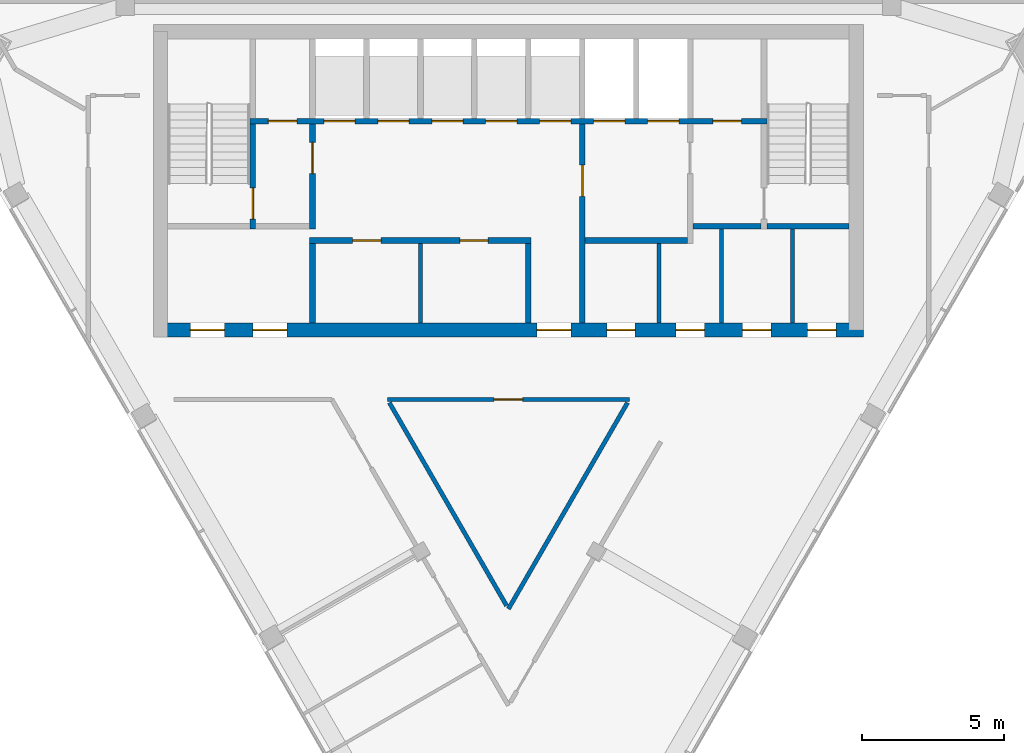
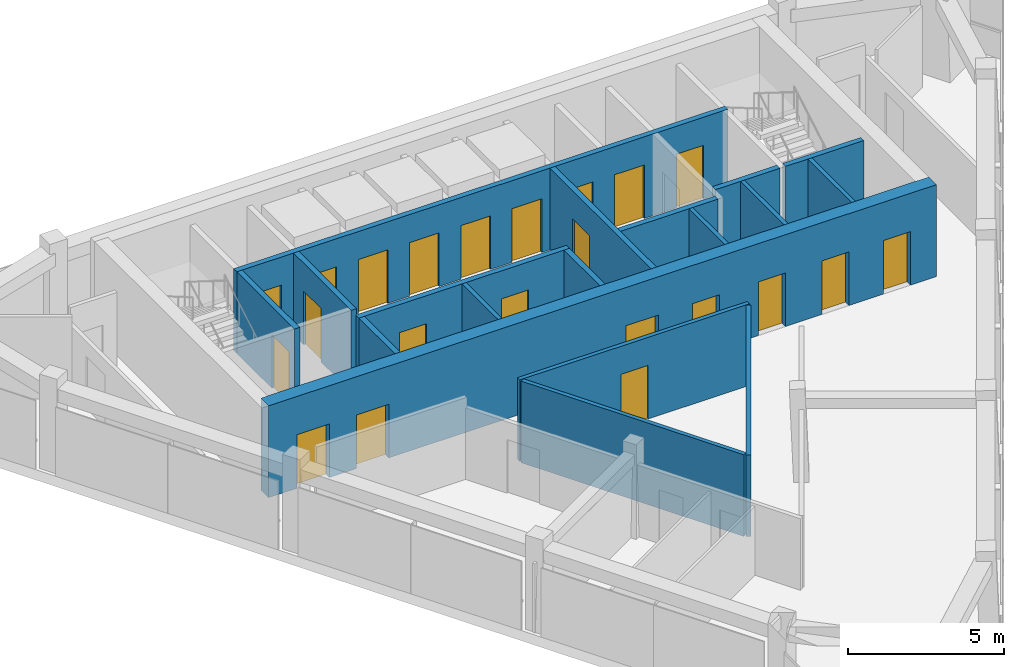
# One storey, part 6 of 9: 22 doors, 18 walls, 22 openings.
"""IFC4 building model written with IfcOpenShell, lengths in metres."""

from ifc_helpers import new_model, si_unit, direction, frame, frame_2d, origin, place, context, subcontext, project, spatial, rectangle, extrude, material, layer, layer_set, type_object, element, fill, save


model = new_model("IFC4")

# Units and contexts
model_context = context("Model", 3, precision=1e-05, world=origin(), true_north=direction((0.0, 1.0)))
body_context = subcontext(model_context, "Body", "Model", "MODEL_VIEW")
ifc_project = project(units=[si_unit("LENGTHUNIT", "METRE"), si_unit("AREAUNIT", "SQUARE_METRE"), si_unit("VOLUMEUNIT", "CUBIC_METRE"), si_unit("PLANEANGLEUNIT", "RADIAN"), si_unit("MASSUNIT", "GRAM", prefix="KILO")], contexts=[model_context])

# Site, building, storey
site_placement = place(None, origin())
site = spatial("IfcSite", under=ifc_project, at=site_placement, CompositionType="ELEMENT")
building_placement = place(site_placement, origin())
building = spatial("IfcBuilding", under=site, at=building_placement, Name="Altiplano Prism Tower", CompositionType="ELEMENT")
storey_placement = place(building_placement, frame((0.0, 0.0, 350.800048828125)))
storey = spatial("IfcBuildingStorey", under=building, at=storey_placement, Name="L91", CompositionType="ELEMENT", Elevation=350.800048828125)

# Wall, openings, doors
ifc_material_1 = material(Name="Concrete C60/75", Category="concrete")
ifc_layer_1 = layer(ifc_material_1, 0.5)
ifc_layer_set_1 = layer_set([ifc_layer_1], Name="Concrete C60/75")
wall_type_1 = type_object("IfcWallType", Name="Core wall 500", PredefinedType="SHEAR", material=ifc_layer_set_1)
wall_1_placement = place(storey_placement, frame((72.75, 93.14990234375, 0.0), z_axis=(0.0, 0.0, 1.0), x_axis=(1.0, 0.0, 0.0)))
wall_1 = element("IfcWall", 1, at=wall_1_placement, inside=storey, type_object=wall_type_1, Name="Core wall S L91", PredefinedType="SHEAR", context=body_context, shape_type="SweptSolid", body=[
    extrude(rectangle(XDim=24.75, YDim=0.5, at=frame_2d((12.375, 0.0))), origin(), (0.0, 0.0, 1.0), 3.599853515625),
])
opening_1_placement = place(wall_1_placement, frame((1.050048828125, 0.0, 0.0)))
opening_1 = element("IfcOpeningElement", 2, at=opening_1_placement, cuts=wall_1, Name="Opening D3882", PredefinedType="OPENING", context=body_context, shape_type="SweptSolid", body=[
    extrude(rectangle(XDim=1.199951171875, YDim=2.10009765625, at=frame_2d((0.60009765625, 1.050048828125))), frame((0.0, 0.260498046875, 0.0), z_axis=(0.0, -1.0, 0.0), x_axis=(1.0, 0.0, 0.0)), (0.0, 0.0, 1.0), 0.52099609375),
])
opening_2_placement = place(wall_1_placement, frame((3.25, 0.0, 0.0)))
opening_2 = element("IfcOpeningElement", 3, at=opening_2_placement, cuts=wall_1, Name="Opening D3883", PredefinedType="OPENING", context=body_context, shape_type="SweptSolid", body=[
    extrude(rectangle(XDim=1.199951171875, YDim=2.10009765625, at=frame_2d((0.60009765625, 1.050048828125))), frame((0.0, 0.260498046875, 0.0), z_axis=(0.0, -1.0, 0.0), x_axis=(1.0, 0.0, 0.0)), (0.0, 0.0, 1.0), 0.52099609375),
])
opening_3_placement = place(wall_1_placement, frame((13.25, 0.0, 0.0)))
opening_3 = element("IfcOpeningElement", 4, at=opening_3_placement, cuts=wall_1, Name="Opening D3884", PredefinedType="OPENING", context=body_context, shape_type="SweptSolid", body=[
    extrude(rectangle(XDim=1.199951171875, YDim=2.10009765625, at=frame_2d((0.60009765625, 1.050048828125))), frame((0.0, 0.260498046875, 0.0), z_axis=(0.0, -1.0, 0.0), x_axis=(1.0, 0.0, 0.0)), (0.0, 0.0, 1.0), 0.52099609375),
])
opening_4_placement = place(wall_1_placement, frame((15.71240234375, 0.0, 0.0)))
opening_4 = element("IfcOpeningElement", 5, at=opening_4_placement, cuts=wall_1, Name="Opening D3887", PredefinedType="OPENING", context=body_context, shape_type="SweptSolid", body=[
    extrude(rectangle(XDim=1.0, YDim=2.10009765625, at=frame_2d((0.5, 1.050048828125))), frame((0.0, 0.260498046875, 0.0), z_axis=(0.0, -1.0, 0.0), x_axis=(1.0, 0.0, 0.0)), (0.0, 0.0, 1.0), 0.52099609375),
])
opening_5_placement = place(wall_1_placement, frame((18.14990234375, 0.0, 0.0)))
opening_5 = element("IfcOpeningElement", 6, at=opening_5_placement, cuts=wall_1, Name="Opening D3888", PredefinedType="OPENING", context=body_context, shape_type="SweptSolid", body=[
    extrude(rectangle(XDim=1.0, YDim=2.10009765625, at=frame_2d((0.5, 1.050048828125))), frame((0.0, 0.260498046875, 0.0), z_axis=(0.0, -1.0, 0.0), x_axis=(1.0, 0.0, 0.0)), (0.0, 0.0, 1.0), 0.52099609375),
])
opening_6_placement = place(wall_1_placement, frame((20.5, 0.0, 0.0)))
opening_6 = element("IfcOpeningElement", 7, at=opening_6_placement, cuts=wall_1, Name="Opening D3889", PredefinedType="OPENING", context=body_context, shape_type="SweptSolid", body=[
    extrude(rectangle(XDim=1.0, YDim=2.10009765625, at=frame_2d((0.5, 1.050048828125))), frame((0.0, 0.260498046875, 0.0), z_axis=(0.0, -1.0, 0.0), x_axis=(1.0, 0.0, 0.0)), (0.0, 0.0, 1.0), 0.52099609375),
])
opening_7_placement = place(wall_1_placement, frame((22.78759765625, 0.0, 0.0)))
opening_7 = element("IfcOpeningElement", 8, at=opening_7_placement, cuts=wall_1, Name="Opening D3890", PredefinedType="OPENING", context=body_context, shape_type="SweptSolid", body=[
    extrude(rectangle(XDim=1.0, YDim=2.10009765625, at=frame_2d((0.5, 1.050048828125))), frame((0.0, 0.260498046875, 0.0), z_axis=(0.0, -1.0, 0.0), x_axis=(1.0, 0.0, 0.0)), (0.0, 0.0, 1.0), 0.52099609375),
])
ifc_material_2 = material(Name="Fire-rated steel door", Category="steel")
door_type_1 = type_object("IfcDoorType", Name="Core room door 1000 x 2100", OperationType="NOTDEFINED", PredefinedType="NOTDEFINED", material=ifc_material_2)
door_1_placement = place(opening_4_placement, origin())
door_1 = element("IfcDoor", 9, at=door_1_placement, inside=storey, type_object=door_type_1, Name="Core room door D3887", OperationType="SINGLE_SWING_RIGHT", OverallHeight=2.10009765625, OverallWidth=1.0, PredefinedType="NOTDEFINED", context=body_context, shape_type="SweptSolid", body=[
    extrude(rectangle(XDim=1.0, YDim=2.10009765625, at=frame_2d((0.5, 1.050048828125))), frame((0.0, 0.02490234375, 0.0), z_axis=(0.0, -1.0, 0.0), x_axis=(1.0, 0.0, 0.0)), (0.0, 0.0, 1.0), 0.050048828125),
])
fill(opening_4, door_1)
door_2_placement = place(opening_5_placement, origin())
door_2 = element("IfcDoor", 10, at=door_2_placement, inside=storey, type_object=door_type_1, Name="Core room door D3888", OperationType="SINGLE_SWING_LEFT", OverallHeight=2.10009765625, OverallWidth=1.0, PredefinedType="NOTDEFINED", context=body_context, shape_type="SweptSolid", body=[
    extrude(rectangle(XDim=1.0, YDim=2.10009765625, at=frame_2d((0.5, 1.050048828125))), frame((0.0, 0.02490234375, 0.0), z_axis=(0.0, -1.0, 0.0), x_axis=(1.0, 0.0, 0.0)), (0.0, 0.0, 1.0), 0.050048828125),
])
fill(opening_5, door_2)
door_3_placement = place(opening_6_placement, origin())
door_3 = element("IfcDoor", 11, at=door_3_placement, inside=storey, type_object=door_type_1, Name="Core room door D3889", OperationType="SINGLE_SWING_RIGHT", OverallHeight=2.10009765625, OverallWidth=1.0, PredefinedType="NOTDEFINED", context=body_context, shape_type="SweptSolid", body=[
    extrude(rectangle(XDim=1.0, YDim=2.10009765625, at=frame_2d((0.5, 1.050048828125))), frame((0.0, 0.02490234375, 0.0), z_axis=(0.0, -1.0, 0.0), x_axis=(1.0, 0.0, 0.0)), (0.0, 0.0, 1.0), 0.050048828125),
])
fill(opening_6, door_3)
door_4_placement = place(opening_7_placement, origin())
door_4 = element("IfcDoor", 12, at=door_4_placement, inside=storey, type_object=door_type_1, Name="Core room door D3890", OperationType="SINGLE_SWING_LEFT", OverallHeight=2.10009765625, OverallWidth=1.0, PredefinedType="NOTDEFINED", context=body_context, shape_type="SweptSolid", body=[
    extrude(rectangle(XDim=1.0, YDim=2.10009765625, at=frame_2d((0.5, 1.050048828125))), frame((0.0, 0.02490234375, 0.0), z_axis=(0.0, -1.0, 0.0), x_axis=(1.0, 0.0, 0.0)), (0.0, 0.0, 1.0), 0.050048828125),
])
fill(opening_7, door_4)
door_type_2 = type_object("IfcDoorType", Name="Lobby fire door 1200 x 2100", OperationType="NOTDEFINED", PredefinedType="NOTDEFINED", material=ifc_material_2)
door_5_placement = place(opening_1_placement, origin())
door_5 = element("IfcDoor", 13, at=door_5_placement, inside=storey, type_object=door_type_2, Name="Lobby fire door D3882", OperationType="SINGLE_SWING_RIGHT", OverallHeight=2.10009765625, OverallWidth=1.199951171875, PredefinedType="NOTDEFINED", context=body_context, shape_type="SweptSolid", body=[
    extrude(rectangle(XDim=1.199951171875, YDim=2.10009765625, at=frame_2d((0.60009765625, 1.050048828125))), frame((0.0, 0.02490234375, 0.0), z_axis=(0.0, -1.0, 0.0), x_axis=(1.0, 0.0, 0.0)), (0.0, 0.0, 1.0), 0.050048828125),
])
fill(opening_1, door_5)
door_6_placement = place(opening_2_placement, origin())
door_6 = element("IfcDoor", 14, at=door_6_placement, inside=storey, type_object=door_type_2, Name="Lobby fire door D3883", OperationType="SINGLE_SWING_LEFT", OverallHeight=2.10009765625, OverallWidth=1.199951171875, PredefinedType="NOTDEFINED", context=body_context, shape_type="SweptSolid", body=[
    extrude(rectangle(XDim=1.199951171875, YDim=2.10009765625, at=frame_2d((0.60009765625, 1.050048828125))), frame((0.0, 0.02490234375, 0.0), z_axis=(0.0, -1.0, 0.0), x_axis=(1.0, 0.0, 0.0)), (0.0, 0.0, 1.0), 0.050048828125),
])
fill(opening_2, door_6)
door_7_placement = place(opening_3_placement, origin())
door_7 = element("IfcDoor", 15, at=door_7_placement, inside=storey, type_object=door_type_2, Name="Lobby fire door D3884", OperationType="SINGLE_SWING_RIGHT", OverallHeight=2.10009765625, OverallWidth=1.199951171875, PredefinedType="NOTDEFINED", context=body_context, shape_type="SweptSolid", body=[
    extrude(rectangle(XDim=1.199951171875, YDim=2.10009765625, at=frame_2d((0.60009765625, 1.050048828125))), frame((0.0, 0.02490234375, 0.0), z_axis=(0.0, -1.0, 0.0), x_axis=(1.0, 0.0, 0.0)), (0.0, 0.0, 1.0), 0.050048828125),
])
fill(opening_3, door_7)

# Wall
ifc_material_3 = material(Name="Plasterboard on steel stud", Category="steel")
ifc_layer_2 = layer(ifc_material_3, 0.14990234375)
ifc_layer_set_2 = layer_set([ifc_layer_2], Name="Plasterboard on steel stud")
wall_type_2 = type_object("IfcWallType", Name="Partition 150 corridor", PredefinedType="PARTITIONING", material=ifc_layer_set_2)
wall_2_placement = place(storey_placement, frame((84.93505859375, 83.4375, 0.0), z_axis=(0.0, 0.0, 1.0), x_axis=(-0.500000652526, 0.866025027048, 0.0)))
element("IfcWall", 16, at=wall_2_placement, inside=storey, type_object=wall_type_2, Name="Partition P06 L91 006", PredefinedType="PARTITIONING", context=body_context, shape_type="SweptSolid", body=[
    extrude(rectangle(XDim=8.2548828125, YDim=0.14990234375, at=frame_2d((4.12744140625, 0.0))), origin(), (0.0, 0.0, 1.0), 3.199951171875),
])

# Wall, opening, door
wall_3_placement = place(storey_placement, frame((80.74267578125, 90.698974609375, 0.0), z_axis=(0.0, 0.0, 1.0), x_axis=(1.0, 0.0, 0.0)))
wall_3 = element("IfcWall", 17, at=wall_3_placement, inside=storey, type_object=wall_type_2, Name="Partition P06 L91 007", PredefinedType="PARTITIONING", context=body_context, shape_type="SweptSolid", body=[
    extrude(rectangle(XDim=8.5146484375, YDim=0.14990234375, at=frame_2d((4.25732421875, 0.0))), origin(), (0.0, 0.0, 1.0), 3.199951171875),
])
opening_8_placement = place(wall_3_placement, frame((3.757080078125, 0.0, 0.0)))
opening_8 = element("IfcOpeningElement", 18, at=opening_8_placement, cuts=wall_3, Name="Opening D2537", PredefinedType="OPENING", context=body_context, shape_type="SweptSolid", body=[
    extrude(rectangle(XDim=1.0, YDim=2.10009765625, at=frame_2d((0.5, 1.050048828125))), frame((0.0, 0.08544921875, 0.0), z_axis=(0.0, -1.0, 0.0), x_axis=(1.0, 0.0, 0.0)), (0.0, 0.0, 1.0), 0.1708984375),
])
ifc_material_4 = material(Name="Timber", Category="wood")
door_type_3 = type_object("IfcDoorType", Name="Room door 1000 x 2100", OperationType="NOTDEFINED", PredefinedType="NOTDEFINED", material=ifc_material_4)
door_8_placement = place(opening_8_placement, origin())
door_8 = element("IfcDoor", 19, at=door_8_placement, inside=storey, type_object=door_type_3, Name="Door D2537", OperationType="SINGLE_SWING_LEFT", OverallHeight=2.10009765625, OverallWidth=1.0, PredefinedType="NOTDEFINED", context=body_context, shape_type="SweptSolid", body=[
    extrude(rectangle(XDim=1.0, YDim=2.10009765625, at=frame_2d((0.5, 1.050048828125))), frame((0.0, 0.02490234375, 0.0), z_axis=(0.0, -1.0, 0.0), x_axis=(1.0, 0.0, 0.0)), (0.0, 0.0, 1.0), 0.050048828125),
])
fill(opening_8, door_8)

# Walls
wall_4_placement = place(storey_placement, frame((89.1923828125, 90.58642578125, 0.0), z_axis=(0.0, 0.0, 1.0), x_axis=(-0.499997181693, -0.866027030928, 0.0)))
element("IfcWall", 20, at=wall_4_placement, inside=storey, type_object=wall_type_2, Name="Partition P06 L91 008", PredefinedType="PARTITIONING", context=body_context, shape_type="SweptSolid", body=[
    extrude(rectangle(XDim=8.384765625, YDim=0.14990234375, at=frame_2d((4.1923828125, 0.0))), origin(), (0.0, 0.0, 1.0), 3.199951171875),
])
ifc_material_5 = material(Name="Fire-rated gypsum board partition")
ifc_layer_3 = layer(ifc_material_5, 0.14990234375)
ifc_layer_set_3 = layer_set([ifc_layer_3], Name="Fire-rated gypsum board partition")
wall_type_3 = type_object("IfcWallType", Name="Room partition 150", PredefinedType="PARTITIONING", material=ifc_layer_set_3)
for number, where, z_axis, x_axis, name in (
    (21, (81.89990234375, 93.39990234375, 0.0), (0.0, 0.0, 1.0), (0.0, 1.0, 0.0), "Room partition L91"),
    (22, (90.300048828125, 93.39990234375, 0.0), (0.0, 0.0, 1.0), (0.0, 1.0, 0.0), "Room partition L91"),
):
    element("IfcWall", number, at=place(storey_placement, frame(where, z_axis=z_axis, x_axis=x_axis)), inside=storey, type_object=wall_type_3, Name=name, PredefinedType="PARTITIONING", context=body_context, shape_type="SweptSolid", body=[
        extrude(rectangle(XDim=2.800048828125, YDim=0.14990234375, at=frame_2d((1.39990234375, 0.0))), origin(), (0.0, 0.0, 1.0), 3.199951171875),
    ])
for number, where, z_axis, x_axis, name in (
    (23, (92.5, 93.39990234375, 0.0), (0.0, 0.0, 1.0), (0.0, 1.0, 0.0), "Room partition L91"),
    (24, (95.0, 93.39990234375, 0.0), (0.0, 0.0, 1.0), (0.0, 1.0, 0.0), "Room partition L91"),
):
    element("IfcWall", number, at=place(storey_placement, frame(where, z_axis=z_axis, x_axis=x_axis)), inside=storey, type_object=wall_type_3, Name=name, PredefinedType="PARTITIONING", context=body_context, shape_type="SweptSolid", body=[
        extrude(rectangle(XDim=3.300048828125, YDim=0.14990234375, at=frame_2d((1.64990234375, 0.0))), origin(), (0.0, 0.0, 1.0), 3.199951171875),
    ])

# Wall, opening, door
ifc_layer_4 = layer(ifc_material_1, 0.199951171875)
ifc_layer_set_4 = layer_set([ifc_layer_4], Name="Concrete C60/75")
wall_type_4 = type_object("IfcWallType", Name="Stair wall 200", PredefinedType="SOLIDWALL", material=ifc_layer_set_4)
wall_5_placement = place(storey_placement, frame((76.0, 96.699951171875, 0.0), z_axis=(0.0, 0.0, 1.0), x_axis=(0.0, 1.0, 0.0)))
wall_5 = element("IfcWall", 25, at=wall_5_placement, inside=storey, type_object=wall_type_4, Name="Stair wall L91", PredefinedType="SOLIDWALL", context=body_context, shape_type="SweptSolid", body=[
    extrude(rectangle(XDim=3.699951171875, YDim=0.199951171875, at=frame_2d((1.85009765625, 0.0))), origin(), (0.0, 0.0, 1.0), 3.199951171875),
])
opening_9_placement = place(wall_5_placement, frame((0.35009765625, 0.0, 0.0)))
opening_9 = element("IfcOpeningElement", 26, at=opening_9_placement, cuts=wall_5, Name="Opening D3877", PredefinedType="OPENING", context=body_context, shape_type="SweptSolid", body=[
    extrude(rectangle(XDim=1.10009765625, YDim=2.10009765625, at=frame_2d((0.550048828125, 1.050048828125))), frame((0.0, 0.1103515625, 0.0), z_axis=(0.0, -1.0, 0.0), x_axis=(1.0, 0.0, 0.0)), (0.0, 0.0, 1.0), 0.220947265625),
])
door_type_4 = type_object("IfcDoorType", Name="Stair fire door 1100 x 2100", OperationType="NOTDEFINED", PredefinedType="NOTDEFINED", material=ifc_material_2)
door_9_placement = place(opening_9_placement, origin())
door_9 = element("IfcDoor", 27, at=door_9_placement, inside=storey, type_object=door_type_4, Name="Stair fire door D3877", OperationType="SINGLE_SWING_RIGHT", OverallHeight=2.10009765625, OverallWidth=1.10009765625, PredefinedType="NOTDEFINED", context=body_context, shape_type="SweptSolid", body=[
    extrude(rectangle(XDim=1.10009765625, YDim=2.10009765625, at=frame_2d((0.550048828125, 1.050048828125))), frame((0.0, 0.02490234375, 0.0), z_axis=(0.0, -1.0, 0.0), x_axis=(1.0, 0.0, 0.0)), (0.0, 0.0, 1.0), 0.050048828125),
])
fill(opening_9, door_9)

# Wall
wall_6_placement = place(storey_placement, frame((94.10009765625, 96.800048828125, 0.0), z_axis=(0.0, 0.0, 1.0), x_axis=(1.0, 0.0, 0.0)))
element("IfcWall", 28, at=wall_6_placement, inside=storey, type_object=wall_type_4, Name="Stair wall L91", PredefinedType="SOLIDWALL", context=body_context, shape_type="SweptSolid", body=[
    extrude(rectangle(XDim=2.89990234375, YDim=0.199951171875, at=frame_2d((1.449951171875, 0.0))), origin(), (0.0, 0.0, 1.0), 3.199951171875),
])

# Wall, openings, doors
wall_7_placement = place(storey_placement, frame((75.89990234375, 100.5, 0.0), z_axis=(0.0, 0.0, 1.0), x_axis=(1.0, 0.0, 0.0)))
wall_7 = element("IfcWall", 29, at=wall_7_placement, inside=storey, type_object=wall_type_4, Name="Stair wall L91", PredefinedType="SOLIDWALL", context=body_context, shape_type="SweptSolid", body=[
    extrude(rectangle(XDim=18.2001953125, YDim=0.199951171875, at=frame_2d((9.10009765625, 0.0))), origin(), (0.0, 0.0, 1.0), 3.199951171875),
])
opening_10_placement = place(wall_7_placement, frame((2.60009765625, 0.0, 0.0)))
opening_10 = element("IfcOpeningElement", 30, at=opening_10_placement, cuts=wall_7, Name="Opening LD-HL1-L91", PredefinedType="OPENING", context=body_context, shape_type="SweptSolid", body=[
    extrude(rectangle(XDim=1.10009765625, YDim=2.10009765625, at=frame_2d((0.550048828125, 1.050048828125))), frame((0.0, 0.1103515625, 0.0), z_axis=(0.0, -1.0, 0.0), x_axis=(1.0, 0.0, 0.0)), (0.0, 0.0, 1.0), 0.220947265625),
])
opening_11_placement = place(wall_7_placement, frame((4.5, 0.0, 0.0)))
opening_11 = element("IfcOpeningElement", 31, at=opening_11_placement, cuts=wall_7, Name="Opening LD-HL2-L91", PredefinedType="OPENING", context=body_context, shape_type="SweptSolid", body=[
    extrude(rectangle(XDim=1.10009765625, YDim=2.10009765625, at=frame_2d((0.550048828125, 1.050048828125))), frame((0.0, 0.1103515625, 0.0), z_axis=(0.0, -1.0, 0.0), x_axis=(1.0, 0.0, 0.0)), (0.0, 0.0, 1.0), 0.220947265625),
])
opening_12_placement = place(wall_7_placement, frame((6.39990234375, 0.0, 0.0)))
opening_12 = element("IfcOpeningElement", 32, at=opening_12_placement, cuts=wall_7, Name="Opening LD-HL3-L91", PredefinedType="OPENING", context=body_context, shape_type="SweptSolid", body=[
    extrude(rectangle(XDim=1.10009765625, YDim=2.10009765625, at=frame_2d((0.550048828125, 1.050048828125))), frame((0.0, 0.1103515625, 0.0), z_axis=(0.0, -1.0, 0.0), x_axis=(1.0, 0.0, 0.0)), (0.0, 0.0, 1.0), 0.220947265625),
])
opening_13_placement = place(wall_7_placement, frame((8.300048828125, 0.0, 0.0)))
opening_13 = element("IfcOpeningElement", 33, at=opening_13_placement, cuts=wall_7, Name="Opening LD-HL4-L91", PredefinedType="OPENING", context=body_context, shape_type="SweptSolid", body=[
    extrude(rectangle(XDim=1.10009765625, YDim=2.10009765625, at=frame_2d((0.550048828125, 1.050048828125))), frame((0.0, 0.1103515625, 0.0), z_axis=(0.0, -1.0, 0.0), x_axis=(1.0, 0.0, 0.0)), (0.0, 0.0, 1.0), 0.220947265625),
])
opening_14_placement = place(wall_7_placement, frame((10.199951171875, 0.0, 0.0)))
opening_14 = element("IfcOpeningElement", 34, at=opening_14_placement, cuts=wall_7, Name="Opening LD-HL5-L91", PredefinedType="OPENING", context=body_context, shape_type="SweptSolid", body=[
    extrude(rectangle(XDim=1.10009765625, YDim=2.10009765625, at=frame_2d((0.550048828125, 1.050048828125))), frame((0.0, 0.1103515625, 0.0), z_axis=(0.0, -1.0, 0.0), x_axis=(1.0, 0.0, 0.0)), (0.0, 0.0, 1.0), 0.220947265625),
])
opening_15_placement = place(wall_7_placement, frame((12.10009765625, 0.0, 0.0)))
opening_15 = element("IfcOpeningElement", 35, at=opening_15_placement, cuts=wall_7, Name="Opening LD-FF1-L91", PredefinedType="OPENING", context=body_context, shape_type="SweptSolid", body=[
    extrude(rectangle(XDim=1.10009765625, YDim=2.10009765625, at=frame_2d((0.550048828125, 1.050048828125))), frame((0.0, 0.1103515625, 0.0), z_axis=(0.0, -1.0, 0.0), x_axis=(1.0, 0.0, 0.0)), (0.0, 0.0, 1.0), 0.220947265625),
])
opening_16_placement = place(wall_7_placement, frame((14.0, 0.0, 0.0)))
opening_16 = element("IfcOpeningElement", 36, at=opening_16_placement, cuts=wall_7, Name="Opening LD-FF2-L91", PredefinedType="OPENING", context=body_context, shape_type="SweptSolid", body=[
    extrude(rectangle(XDim=1.10009765625, YDim=2.10009765625, at=frame_2d((0.550048828125, 1.050048828125))), frame((0.0, 0.1103515625, 0.0), z_axis=(0.0, -1.0, 0.0), x_axis=(1.0, 0.0, 0.0)), (0.0, 0.0, 1.0), 0.220947265625),
])
opening_17_placement = place(wall_7_placement, frame((0.64990234375, 0.0, 0.0)))
opening_17 = element("IfcOpeningElement", 37, at=opening_17_placement, cuts=wall_7, Name="Opening D3885", PredefinedType="OPENING", context=body_context, shape_type="SweptSolid", body=[
    extrude(rectangle(XDim=1.0, YDim=2.10009765625, at=frame_2d((0.5, 1.050048828125))), frame((0.0, 0.1103515625, 0.0), z_axis=(0.0, -1.0, 0.0), x_axis=(1.0, 0.0, 0.0)), (0.0, 0.0, 1.0), 0.220947265625),
])
opening_18_placement = place(wall_7_placement, frame((16.300048828125, 0.0, 0.0)))
opening_18 = element("IfcOpeningElement", 38, at=opening_18_placement, cuts=wall_7, Name="Opening D3886", PredefinedType="OPENING", context=body_context, shape_type="SweptSolid", body=[
    extrude(rectangle(XDim=1.0, YDim=2.10009765625, at=frame_2d((0.5, 1.050048828125))), frame((0.0, 0.1103515625, 0.0), z_axis=(0.0, -1.0, 0.0), x_axis=(1.0, 0.0, 0.0)), (0.0, 0.0, 1.0), 0.220947265625),
])
door_10_placement = place(opening_17_placement, origin())
door_10 = element("IfcDoor", 39, at=door_10_placement, inside=storey, type_object=door_type_1, Name="Core room door D3885", OperationType="SINGLE_SWING_LEFT", OverallHeight=2.10009765625, OverallWidth=1.0, PredefinedType="NOTDEFINED", context=body_context, shape_type="SweptSolid", body=[
    extrude(rectangle(XDim=1.0, YDim=2.10009765625, at=frame_2d((0.5, 1.050048828125))), frame((0.0, 0.02490234375, 0.0), z_axis=(0.0, -1.0, 0.0), x_axis=(1.0, 0.0, 0.0)), (0.0, 0.0, 1.0), 0.050048828125),
])
fill(opening_17, door_10)
door_11_placement = place(opening_18_placement, origin())
door_11 = element("IfcDoor", 40, at=door_11_placement, inside=storey, type_object=door_type_1, Name="Core room door D3886", OperationType="SINGLE_SWING_RIGHT", OverallHeight=2.10009765625, OverallWidth=1.0, PredefinedType="NOTDEFINED", context=body_context, shape_type="SweptSolid", body=[
    extrude(rectangle(XDim=1.0, YDim=2.10009765625, at=frame_2d((0.5, 1.050048828125))), frame((0.0, 0.02490234375, 0.0), z_axis=(0.0, -1.0, 0.0), x_axis=(1.0, 0.0, 0.0)), (0.0, 0.0, 1.0), 0.050048828125),
])
fill(opening_18, door_11)
ifc_material_6 = material(Name="Stainless steel landing door", Category="steel")
door_type_5 = type_object("IfcDoorType", Name="Landing door 1100 x 2100", OperationType="NOTDEFINED", PredefinedType="NOTDEFINED", material=ifc_material_6)
door_12_placement = place(opening_10_placement, origin())
door_12 = element("IfcDoor", 41, at=door_12_placement, inside=storey, type_object=door_type_5, Name="Landing doors HL1", OperationType="SLIDING_TO_RIGHT", OverallHeight=2.10009765625, OverallWidth=1.10009765625, PredefinedType="NOTDEFINED", context=body_context, shape_type="SweptSolid", body=[
    extrude(rectangle(XDim=1.10009765625, YDim=2.10009765625, at=frame_2d((0.550048828125, 1.050048828125))), frame((0.0, 0.02490234375, 0.0), z_axis=(0.0, -1.0, 0.0), x_axis=(1.0, 0.0, 0.0)), (0.0, 0.0, 1.0), 0.050048828125),
])
fill(opening_10, door_12)
door_13_placement = place(opening_11_placement, origin())
door_13 = element("IfcDoor", 42, at=door_13_placement, inside=storey, type_object=door_type_5, Name="Landing doors HL2", OperationType="SLIDING_TO_LEFT", OverallHeight=2.10009765625, OverallWidth=1.10009765625, PredefinedType="NOTDEFINED", context=body_context, shape_type="SweptSolid", body=[
    extrude(rectangle(XDim=1.10009765625, YDim=2.10009765625, at=frame_2d((0.550048828125, 1.050048828125))), frame((0.0, 0.02490234375, 0.0), z_axis=(0.0, -1.0, 0.0), x_axis=(1.0, 0.0, 0.0)), (0.0, 0.0, 1.0), 0.050048828125),
])
fill(opening_11, door_13)
door_14_placement = place(opening_12_placement, origin())
door_14 = element("IfcDoor", 43, at=door_14_placement, inside=storey, type_object=door_type_5, Name="Landing doors HL3", OperationType="SLIDING_TO_RIGHT", OverallHeight=2.10009765625, OverallWidth=1.10009765625, PredefinedType="NOTDEFINED", context=body_context, shape_type="SweptSolid", body=[
    extrude(rectangle(XDim=1.10009765625, YDim=2.10009765625, at=frame_2d((0.550048828125, 1.050048828125))), frame((0.0, 0.02490234375, 0.0), z_axis=(0.0, -1.0, 0.0), x_axis=(1.0, 0.0, 0.0)), (0.0, 0.0, 1.0), 0.050048828125),
])
fill(opening_12, door_14)
door_15_placement = place(opening_13_placement, origin())
door_15 = element("IfcDoor", 44, at=door_15_placement, inside=storey, type_object=door_type_5, Name="Landing doors HL4", OperationType="SLIDING_TO_LEFT", OverallHeight=2.10009765625, OverallWidth=1.10009765625, PredefinedType="NOTDEFINED", context=body_context, shape_type="SweptSolid", body=[
    extrude(rectangle(XDim=1.10009765625, YDim=2.10009765625, at=frame_2d((0.550048828125, 1.050048828125))), frame((0.0, 0.02490234375, 0.0), z_axis=(0.0, -1.0, 0.0), x_axis=(1.0, 0.0, 0.0)), (0.0, 0.0, 1.0), 0.050048828125),
])
fill(opening_13, door_15)
door_16_placement = place(opening_14_placement, origin())
door_16 = element("IfcDoor", 45, at=door_16_placement, inside=storey, type_object=door_type_5, Name="Landing doors HL5", OperationType="SLIDING_TO_RIGHT", OverallHeight=2.10009765625, OverallWidth=1.10009765625, PredefinedType="NOTDEFINED", context=body_context, shape_type="SweptSolid", body=[
    extrude(rectangle(XDim=1.10009765625, YDim=2.10009765625, at=frame_2d((0.550048828125, 1.050048828125))), frame((0.0, 0.02490234375, 0.0), z_axis=(0.0, -1.0, 0.0), x_axis=(1.0, 0.0, 0.0)), (0.0, 0.0, 1.0), 0.050048828125),
])
fill(opening_14, door_16)
door_17_placement = place(opening_15_placement, origin())
door_17 = element("IfcDoor", 46, at=door_17_placement, inside=storey, type_object=door_type_5, Name="Landing doors FF1", OperationType="SLIDING_TO_RIGHT", OverallHeight=2.10009765625, OverallWidth=1.10009765625, PredefinedType="NOTDEFINED", context=body_context, shape_type="SweptSolid", body=[
    extrude(rectangle(XDim=1.10009765625, YDim=2.10009765625, at=frame_2d((0.550048828125, 1.050048828125))), frame((0.0, 0.02490234375, 0.0), z_axis=(0.0, -1.0, 0.0), x_axis=(1.0, 0.0, 0.0)), (0.0, 0.0, 1.0), 0.050048828125),
])
fill(opening_15, door_17)
door_18_placement = place(opening_16_placement, origin())
door_18 = element("IfcDoor", 47, at=door_18_placement, inside=storey, type_object=door_type_5, Name="Landing doors FF2", OperationType="SLIDING_TO_LEFT", OverallHeight=2.10009765625, OverallWidth=1.10009765625, PredefinedType="NOTDEFINED", context=body_context, shape_type="SweptSolid", body=[
    extrude(rectangle(XDim=1.10009765625, YDim=2.10009765625, at=frame_2d((0.550048828125, 1.050048828125))), frame((0.0, 0.02490234375, 0.0), z_axis=(0.0, -1.0, 0.0), x_axis=(1.0, 0.0, 0.0)), (0.0, 0.0, 1.0), 0.050048828125),
])
fill(opening_16, door_18)

# Walls
ifc_layer_5 = layer(ifc_material_1, 0.199951171875)
ifc_layer_set_5 = layer_set([ifc_layer_5], Name="Concrete C60/75")
wall_type_5 = type_object("IfcWallType", Name="Vestibule wall 200", PredefinedType="PARTITIONING", material=ifc_layer_set_5)
for number, where, z_axis, x_axis, name in (
    (48, (78.10009765625, 93.39990234375, 0.0), (0.0, 0.0, 1.0), (0.0, 1.0, 0.0), "Vestibule wall L91"),
    (49, (85.699951171875, 93.39990234375, 0.0), (0.0, 0.0, 1.0), (0.0, 1.0, 0.0), "Vestibule wall L91"),
):
    element("IfcWall", number, at=place(storey_placement, frame(where, z_axis=z_axis, x_axis=x_axis)), inside=storey, type_object=wall_type_5, Name=name, PredefinedType="PARTITIONING", context=body_context, shape_type="SweptSolid", body=[
        extrude(rectangle(XDim=2.800048828125, YDim=0.199951171875, at=frame_2d((1.39990234375, 0.0))), origin(), (0.0, 0.0, 1.0), 3.199951171875),
    ])

# Wall, opening, door
wall_8_placement = place(storey_placement, frame((87.60009765625, 93.39990234375, 0.0), z_axis=(0.0, 0.0, 1.0), x_axis=(0.0, 1.0, 0.0)))
wall_8 = element("IfcWall", 50, at=wall_8_placement, inside=storey, type_object=wall_type_5, Name="Vestibule wall L91", PredefinedType="PARTITIONING", context=body_context, shape_type="SweptSolid", body=[
    extrude(rectangle(XDim=7.0, YDim=0.199951171875, at=frame_2d((3.5, 0.0))), origin(), (0.0, 0.0, 1.0), 3.199951171875),
])
opening_19_placement = place(wall_8_placement, frame((4.449951171875, 0.0, 0.0)))
opening_19 = element("IfcOpeningElement", 51, at=opening_19_placement, cuts=wall_8, Name="Opening D3880", PredefinedType="OPENING", context=body_context, shape_type="SweptSolid", body=[
    extrude(rectangle(XDim=1.10009765625, YDim=2.10009765625, at=frame_2d((0.550048828125, 1.050048828125))), frame((0.0, 0.1103515625, 0.0), z_axis=(0.0, -1.0, 0.0), x_axis=(1.0, 0.0, 0.0)), (0.0, 0.0, 1.0), 0.220947265625),
])
door_type_6 = type_object("IfcDoorType", Name="Vestibule fire door 1100 x 2100", OperationType="NOTDEFINED", PredefinedType="NOTDEFINED", material=ifc_material_2)
door_19_placement = place(opening_19_placement, origin())
door_19 = element("IfcDoor", 52, at=door_19_placement, inside=storey, type_object=door_type_6, Name="Vestibule fire door D3880", OperationType="SINGLE_SWING_RIGHT", OverallHeight=2.10009765625, OverallWidth=1.10009765625, PredefinedType="NOTDEFINED", context=body_context, shape_type="SweptSolid", body=[
    extrude(rectangle(XDim=1.10009765625, YDim=2.10009765625, at=frame_2d((0.550048828125, 1.050048828125))), frame((0.0, 0.02490234375, 0.0), z_axis=(0.0, -1.0, 0.0), x_axis=(1.0, 0.0, 0.0)), (0.0, 0.0, 1.0), 0.050048828125),
])
fill(opening_19, door_19)

# Wall, openings, doors
wall_9_placement = place(storey_placement, frame((78.0, 96.300048828125, 0.0), z_axis=(0.0, 0.0, 1.0), x_axis=(1.0, 0.0, 0.0)))
wall_9 = element("IfcWall", 53, at=wall_9_placement, inside=storey, type_object=wall_type_5, Name="Vestibule wall L91", PredefinedType="PARTITIONING", context=body_context, shape_type="SweptSolid", body=[
    extrude(rectangle(XDim=7.800048828125, YDim=0.199951171875, at=frame_2d((3.89990234375, 0.0))), origin(), (0.0, 0.0, 1.0), 3.199951171875),
])
opening_20_placement = place(wall_9_placement, frame((1.512451171875, 0.0, 0.0)))
opening_20 = element("IfcOpeningElement", 54, at=opening_20_placement, cuts=wall_9, Name="Opening D3891", PredefinedType="OPENING", context=body_context, shape_type="SweptSolid", body=[
    extrude(rectangle(XDim=1.0, YDim=2.10009765625, at=frame_2d((0.5, 1.050048828125))), frame((0.0, 0.1103515625, 0.0), z_axis=(0.0, -1.0, 0.0), x_axis=(1.0, 0.0, 0.0)), (0.0, 0.0, 1.0), 0.220947265625),
])
opening_21_placement = place(wall_9_placement, frame((5.28759765625, 0.0, 0.0)))
opening_21 = element("IfcOpeningElement", 55, at=opening_21_placement, cuts=wall_9, Name="Opening D3892", PredefinedType="OPENING", context=body_context, shape_type="SweptSolid", body=[
    extrude(rectangle(XDim=1.0, YDim=2.10009765625, at=frame_2d((0.5, 1.050048828125))), frame((0.0, 0.1103515625, 0.0), z_axis=(0.0, -1.0, 0.0), x_axis=(1.0, 0.0, 0.0)), (0.0, 0.0, 1.0), 0.220947265625),
])
door_20_placement = place(opening_20_placement, origin())
door_20 = element("IfcDoor", 56, at=door_20_placement, inside=storey, type_object=door_type_1, Name="Core room door D3891", OperationType="SINGLE_SWING_RIGHT", OverallHeight=2.10009765625, OverallWidth=1.0, PredefinedType="NOTDEFINED", context=body_context, shape_type="SweptSolid", body=[
    extrude(rectangle(XDim=1.0, YDim=2.10009765625, at=frame_2d((0.5, 1.050048828125))), frame((0.0, 0.02490234375, 0.0), z_axis=(0.0, -1.0, 0.0), x_axis=(1.0, 0.0, 0.0)), (0.0, 0.0, 1.0), 0.050048828125),
])
fill(opening_20, door_20)
door_21_placement = place(opening_21_placement, origin())
door_21 = element("IfcDoor", 57, at=door_21_placement, inside=storey, type_object=door_type_1, Name="Core room door D3892", OperationType="SINGLE_SWING_RIGHT", OverallHeight=2.10009765625, OverallWidth=1.0, PredefinedType="NOTDEFINED", context=body_context, shape_type="SweptSolid", body=[
    extrude(rectangle(XDim=1.0, YDim=2.10009765625, at=frame_2d((0.5, 1.050048828125))), frame((0.0, 0.02490234375, 0.0), z_axis=(0.0, -1.0, 0.0), x_axis=(1.0, 0.0, 0.0)), (0.0, 0.0, 1.0), 0.050048828125),
])
fill(opening_21, door_21)

# Wall
wall_10_placement = place(storey_placement, frame((87.699951171875, 96.300048828125, 0.0), z_axis=(0.0, 0.0, 1.0), x_axis=(1.0, 0.0, 0.0)))
element("IfcWall", 58, at=wall_10_placement, inside=storey, type_object=wall_type_5, Name="Vestibule wall L91", PredefinedType="PARTITIONING", context=body_context, shape_type="SweptSolid", body=[
    extrude(rectangle(XDim=3.60009765625, YDim=0.199951171875, at=frame_2d((1.800048828125, 0.0))), origin(), (0.0, 0.0, 1.0), 3.199951171875),
])

# Wall, opening, door
wall_11_placement = place(storey_placement, frame((78.10009765625, 96.699951171875, 0.0), z_axis=(0.0, 0.0, 1.0), x_axis=(0.0, 1.0, 0.0)))
wall_11 = element("IfcWall", 59, at=wall_11_placement, inside=storey, type_object=wall_type_5, Name="Vestibule wall L91", PredefinedType="PARTITIONING", context=body_context, shape_type="SweptSolid", body=[
    extrude(rectangle(XDim=3.699951171875, YDim=0.199951171875, at=frame_2d((1.85009765625, 0.0))), origin(), (0.0, 0.0, 1.0), 3.199951171875),
])
opening_22_placement = place(wall_11_placement, frame((1.949951171875, 0.0, 0.0)))
opening_22 = element("IfcOpeningElement", 60, at=opening_22_placement, cuts=wall_11, Name="Opening D3879", PredefinedType="OPENING", context=body_context, shape_type="SweptSolid", body=[
    extrude(rectangle(XDim=1.10009765625, YDim=2.10009765625, at=frame_2d((0.550048828125, 1.050048828125))), frame((0.0, 0.1103515625, 0.0), z_axis=(0.0, -1.0, 0.0), x_axis=(1.0, 0.0, 0.0)), (0.0, 0.0, 1.0), 0.220947265625),
])
door_22_placement = place(opening_22_placement, origin())
door_22 = element("IfcDoor", 61, at=door_22_placement, inside=storey, type_object=door_type_6, Name="Vestibule fire door D3879", OperationType="SINGLE_SWING_LEFT", OverallHeight=2.10009765625, OverallWidth=1.10009765625, PredefinedType="NOTDEFINED", context=body_context, shape_type="SweptSolid", body=[
    extrude(rectangle(XDim=1.10009765625, YDim=2.10009765625, at=frame_2d((0.550048828125, 1.050048828125))), frame((0.0, 0.02490234375, 0.0), z_axis=(0.0, -1.0, 0.0), x_axis=(1.0, 0.0, 0.0)), (0.0, 0.0, 1.0), 0.050048828125),
])
fill(opening_22, door_22)

# Wall
wall_12_placement = place(storey_placement, frame((91.5, 96.800048828125, 0.0), z_axis=(0.0, 0.0, 1.0), x_axis=(1.0, 0.0, 0.0)))
element("IfcWall", 62, at=wall_12_placement, inside=storey, type_object=wall_type_5, Name="Vestibule wall L91", PredefinedType="PARTITIONING", context=body_context, shape_type="SweptSolid", body=[
    extrude(rectangle(XDim=2.39990234375, YDim=0.199951171875, at=frame_2d((1.199951171875, 0.0))), origin(), (0.0, 0.0, 1.0), 3.199951171875),
])

save(model, "model.ifc")
